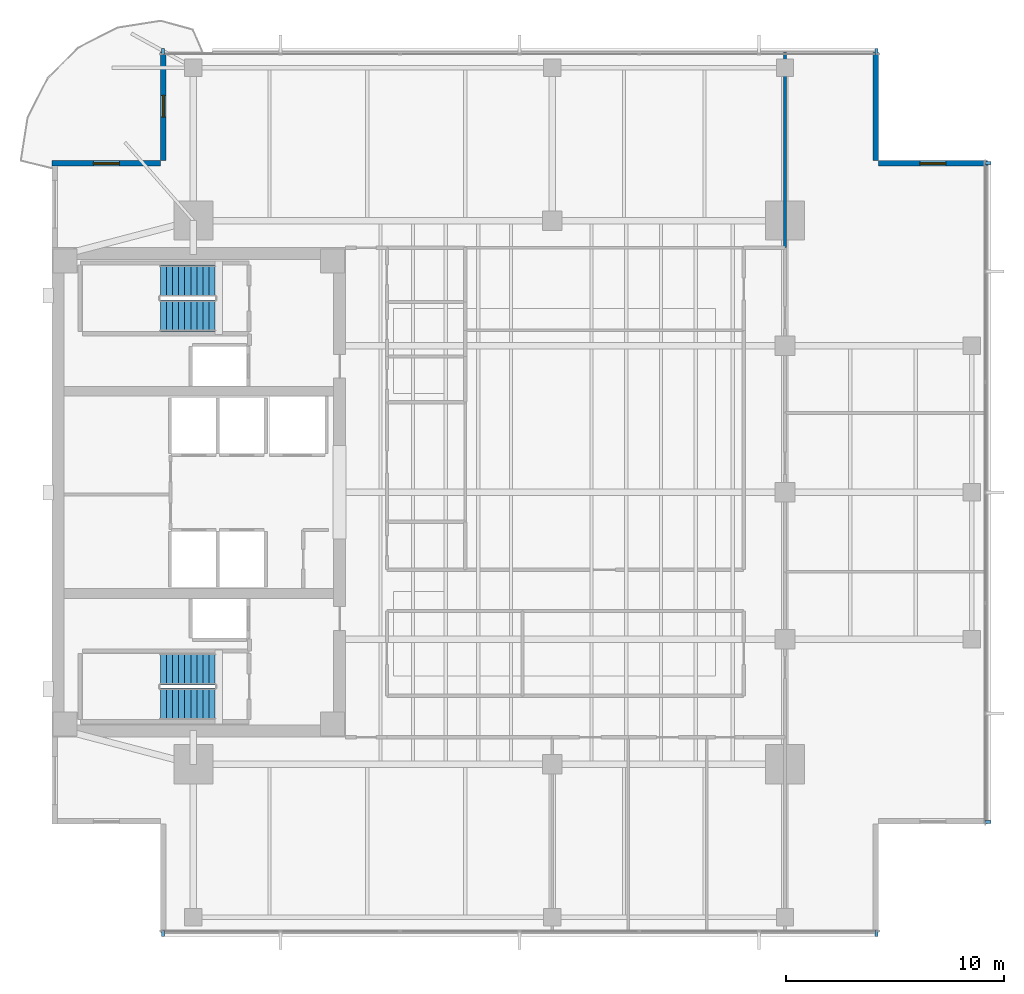
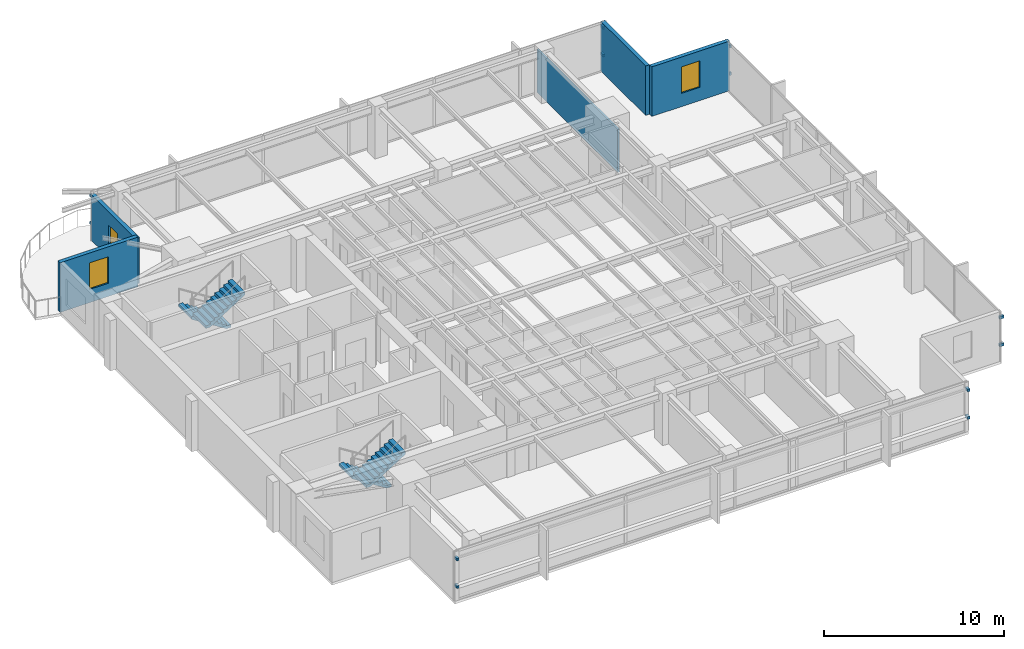
# One storey, part 10 of 14: 12 discrete accessories, 5 walls, 4 stair flights, 2 windows, 1 door, 3 openings, 2 elements without a shape of their own.
"""IFC4 building model written with IfcOpenShell, lengths in metres."""

from ifc_helpers import new_model, si_unit, direction, frame, frame_2d, origin, origin_2d, place, context, subcontext, project, spatial, polyline, rectangle, outline, extrude, material, layer, layer_set, type_object, element, fill, aggregate, save


model = new_model("IFC4")

# Units and contexts
model_context = context("Model", 3, precision=1e-05, world=origin(), true_north=direction((0.0, 1.0)))
body_context = subcontext(model_context, "Body", "Model", "MODEL_VIEW")
ifc_project = project(units=[si_unit("LENGTHUNIT", "METRE"), si_unit("AREAUNIT", "SQUARE_METRE"), si_unit("VOLUMEUNIT", "CUBIC_METRE"), si_unit("PLANEANGLEUNIT", "RADIAN"), si_unit("MASSUNIT", "GRAM", prefix="KILO")], contexts=[model_context])

# Site, building, storey
site_placement = place(None, origin())
site = spatial("IfcSite", under=ifc_project, at=site_placement, CompositionType="ELEMENT")
building_placement = place(site_placement, origin())
building = spatial("IfcBuilding", under=site, at=building_placement, Name="Kinhvarn Gate Tower", CompositionType="ELEMENT")
storey_placement = place(building_placement, frame((0.0, 0.0, 230.64990234375)))
storey = spatial("IfcBuildingStorey", under=building, at=storey_placement, Name="L61", CompositionType="ELEMENT", Elevation=230.64990234375)

# Wall, opening, window
ifc_material_1 = material(Name="Fired architectural terracotta", Category="masonry")
ifc_layer_1 = layer(ifc_material_1, 0.25)
ifc_layer_set_1 = layer_set([ifc_layer_1], Name="Fired architectural terracotta")
wall_type_1 = type_object("IfcWallType", Name="WL-EXT-250", PredefinedType="SOLIDWALL", material=ifc_layer_set_1)
wall_1_placement = place(storey_placement, frame((47.5, 40.375, 0.0), z_axis=(0.0, 0.0, 1.0), x_axis=(-1.0, 0.0, 0.0)))
wall_1 = element("IfcWall", 1, at=wall_1_placement, inside=storey, type_object=wall_type_1, Name="Exterior Solidwall Wall EW-250 (L61 NE-Notch-1)", PredefinedType="SOLIDWALL", context=body_context, shape_type="SweptSolid", body=[
    extrude(rectangle(XDim=5.0, YDim=0.25, at=frame_2d((2.5, 0.0))), origin(), (0.0, 0.0, 1.0), 3.3701171875),
])
opening_1_placement = place(wall_1_placement, frame((1.89990234375, 0.0, 0.89990234375)))
opening_1 = element("IfcOpeningElement", 2, at=opening_1_placement, cuts=wall_1, Name="Opening WN-02", PredefinedType="OPENING", context=body_context, shape_type="SweptSolid", body=[
    extrude(rectangle(XDim=1.199951171875, YDim=1.800048828125, at=frame_2d((0.60009765625, 0.89990234375))), frame((0.0, 0.135009765625, 0.0), z_axis=(0.0, -1.0, 0.0), x_axis=(1.0, 0.0, 0.0)), (0.0, 0.0, 1.0), 0.27001953125),
])
ifc_material_2 = material(Name="Clear low-e double glazing", Category="glass")
window_type = type_object("IfcWindowType", Name="WIN-NTC-1200", PartitioningType="SINGLE_PANEL", PredefinedType="WINDOW", material=ifc_material_2)
window_1_placement = place(opening_1_placement, origin())
window_1 = element("IfcWindow", 3, at=window_1_placement, inside=storey, type_object=window_type, Name="Recessed Corner Notch Punched Window 1200x1800 mm (L61)", OverallHeight=1.800048828125, OverallWidth=1.199951171875, PartitioningType="SINGLE_PANEL", PredefinedType="WINDOW", context=body_context, shape_type="SweptSolid", body=[
    extrude(rectangle(XDim=1.199951171875, YDim=1.800048828125, at=frame_2d((0.60009765625, 0.89990234375))), frame((0.0, 0.030029296875, 0.0), z_axis=(0.0, -1.0, 0.0), x_axis=(1.0, 0.0, 0.0)), (0.0, 0.0, 1.0), 0.06005859375),
])
fill(opening_1, window_1)

# Wall
wall_2_placement = place(storey_placement, frame((42.375, 40.5, 0.0), z_axis=(0.0, 0.0, 1.0), x_axis=(0.0, 1.0, 0.0)))
element("IfcWall", 4, at=wall_2_placement, inside=storey, type_object=wall_type_1, Name="Exterior Solidwall Wall EW-250 (L61 NE-Notch-2)", PredefinedType="SOLIDWALL", context=body_context, shape_type="SweptSolid", body=[
    extrude(rectangle(XDim=5.0, YDim=0.25, at=frame_2d((2.5, 0.0))), origin(), (0.0, 0.0, 1.0), 3.3701171875),
])

# Wall, opening, door
wall_3_placement = place(storey_placement, frame((9.625, 45.5, 0.0), z_axis=(0.0, 0.0, 1.0), x_axis=(0.0, -1.0, 0.0)))
wall_3 = element("IfcWall", 5, at=wall_3_placement, inside=storey, type_object=wall_type_1, Name="Exterior Solidwall Wall EW-250 (L61 NW-Notch-Door)", PredefinedType="SOLIDWALL", context=body_context, shape_type="SweptSolid", body=[
    extrude(rectangle(XDim=5.0, YDim=0.25, at=frame_2d((2.5, 0.0))), origin(), (0.0, 0.0, 1.0), 3.10009765625),
])
opening_2_placement = place(wall_3_placement, frame((2.0, 0.0, 0.0)))
opening_2 = element("IfcOpeningElement", 6, at=opening_2_placement, cuts=wall_3, Name="Opening BD-01", PredefinedType="OPENING", context=body_context, shape_type="SweptSolid", body=[
    extrude(rectangle(XDim=1.0, YDim=2.199951171875, at=frame_2d((0.5, 1.10009765625))), frame((0.0, 0.135009765625, 0.0), z_axis=(0.0, -1.0, 0.0), x_axis=(1.0, 0.0, 0.0)), (0.0, 0.0, 1.0), 0.27001953125),
])
door_type = type_object("IfcDoorType", Name="DR-BAL-1000", OperationType="NOTDEFINED", PredefinedType="DOOR", material=ifc_material_2)
door_placement = place(opening_2_placement, frame((1.0, 0.0, 0.0), z_axis=(0.0, 0.0, 1.0), x_axis=(-1.0, 0.0, 0.0)))
door = element("IfcDoor", 7, at=door_placement, inside=storey, type_object=door_type, Name="S-Carve Balcony Door BD-01 (L61)", OperationType="SINGLE_SWING_RIGHT", OverallHeight=2.199951171875, OverallWidth=1.0, PredefinedType="DOOR", context=body_context, shape_type="SweptSolid", body=[
    extrude(rectangle(XDim=1.0, YDim=2.199951171875, at=frame_2d((0.5, 1.10009765625))), frame((0.0, 0.02490234375, 0.0), z_axis=(0.0, -1.0, 0.0), x_axis=(1.0, 0.0, 0.0)), (0.0, 0.0, 1.0), 0.050048828125),
])
fill(opening_2, door)

# Wall, opening, window
wall_4_placement = place(storey_placement, frame((9.5, 40.375, 0.0), z_axis=(0.0, 0.0, 1.0), x_axis=(-1.0, 0.0, 0.0)))
wall_4 = element("IfcWall", 8, at=wall_4_placement, inside=storey, type_object=wall_type_1, Name="Exterior Solidwall Wall EW-250 (L61 NW-Notch-Win)", PredefinedType="SOLIDWALL", context=body_context, shape_type="SweptSolid", body=[
    extrude(rectangle(XDim=5.0, YDim=0.25, at=frame_2d((2.5, 0.0))), origin(), (0.0, 0.0, 1.0), 3.3701171875),
])
opening_3_placement = place(wall_4_placement, frame((1.89990234375, 0.0, 0.89990234375)))
opening_3 = element("IfcOpeningElement", 9, at=opening_3_placement, cuts=wall_4, Name="Opening WN-02", PredefinedType="OPENING", context=body_context, shape_type="SweptSolid", body=[
    extrude(rectangle(XDim=1.199951171875, YDim=1.800048828125, at=frame_2d((0.60009765625, 0.89990234375))), frame((0.0, 0.135009765625, 0.0), z_axis=(0.0, -1.0, 0.0), x_axis=(1.0, 0.0, 0.0)), (0.0, 0.0, 1.0), 0.27001953125),
])
window_2_placement = place(opening_3_placement, origin())
window_2 = element("IfcWindow", 10, at=window_2_placement, inside=storey, type_object=window_type, Name="Recessed Corner Notch Punched Window 1200x1800 mm (L61)", OverallHeight=1.800048828125, OverallWidth=1.199951171875, PartitioningType="SINGLE_PANEL", PredefinedType="WINDOW", context=body_context, shape_type="SweptSolid", body=[
    extrude(rectangle(XDim=1.199951171875, YDim=1.800048828125, at=frame_2d((0.60009765625, 0.89990234375))), frame((0.0, 0.030029296875, 0.0), z_axis=(0.0, -1.0, 0.0), x_axis=(1.0, 0.0, 0.0)), (0.0, 0.0, 1.0), 0.06005859375),
])
fill(opening_3, window_2)

# Wall
ifc_material_3 = material(Name="Gypsum acoustic partition board")
ifc_layer_2 = layer(ifc_material_3, 0.1201171875)
ifc_layer_set_2 = layer_set([ifc_layer_2], Name="Gypsum acoustic partition board")
wall_type_2 = type_object("IfcWallType", Name="WL-PRT-120", PredefinedType="PARTITIONING", material=ifc_layer_set_2)
wall_5_placement = place(storey_placement, frame((38.199951171875, 36.5, 0.0), z_axis=(0.0, 0.0, 1.0), x_axis=(0.0, 1.0, 0.0)))
element("IfcWall", 11, at=wall_5_placement, inside=storey, type_object=wall_type_2, Name="Interior Partition PW-120 (L61)", PredefinedType="PARTITIONING", context=body_context, shape_type="SweptSolid", body=[
    extrude(rectangle(XDim=8.989990234375, YDim=0.1201171875, at=frame_2d((4.4951171875, 0.0))), origin(), (0.0, 0.0, 1.0), 2.920166015625),
])

# Stair, stair flights
ifc_material_4 = material(Name="Concrete C40/50", Category="concrete")
stair_type = type_object("IfcStairType", Name="STR-DLG-177", PredefinedType="HALF_TURN_STAIR", material=ifc_material_4)
stair_1_placement = place(storey_placement, origin())
stair_1 = element("IfcStair", 12, at=stair_1_placement, inside=storey, type_object=stair_type, Name="L61 Core Smokeproof Exit Stair ST1", PredefinedType="HALF_TURN_STAIR")
stair_flight_type = type_object("IfcStairFlightType", Name="STF-DLG-177", PredefinedType="STRAIGHT", material=ifc_material_4)
stair_flight_1_placement = place(storey_placement, frame((12.0, 17.125, 0.0), z_axis=(0.0, 0.0, 1.0), x_axis=(-1.0, 0.0, 0.0)))
stair_flight_1 = element("IfcStairFlight", 13, at=stair_flight_1_placement, type_object=stair_flight_type, Name="ST1 flight 1", NumberOfRisers=10, NumberOfTreads=9, PredefinedType="STRAIGHT", RiserHeight=0.1775, TreadLength=0.28, context=body_context, shape_type="SweptSolid", body=[
    extrude(outline(polyline([(0.0, 0.0), (0.0, 0.177490234375), (0.280029296875, 0.177490234375), (0.280029296875, 0.35498046875), (0.56005859375, 0.35498046875), (0.56005859375, 0.532470703125), (0.840087890625, 0.532470703125), (0.840087890625, 0.7099609375), (1.1201171875, 0.7099609375), (1.1201171875, 0.887451171875), (1.39990234375, 0.887451171875), (1.39990234375, 1.06494140625), (1.679931640625, 1.06494140625), (1.679931640625, 1.242431640625), (1.9599609375, 1.242431640625), (1.9599609375, 1.419921875), (2.239990234375, 1.419921875), (2.239990234375, 1.597412109375), (2.52001953125, 1.597412109375), (2.52001953125, 1.77490234375), (2.52001953125, 1.419921875), (0.280029296875, 0.0), (0.0, 0.0)])), frame((0.0, 0.72509765625, 0.0), z_axis=(0.0, -1.0, 0.0), x_axis=(1.0, 0.0, 0.0)), (0.0, 0.0, 1.0), 1.449951171875),
])
stair_flight_2_placement = place(storey_placement, frame((9.47998046875, 15.52490234375, 1.775146484375), z_axis=(0.0, 0.0, 1.0), x_axis=(1.0, 0.0, 0.0)))
stair_flight_2 = element("IfcStairFlight", 14, at=stair_flight_2_placement, type_object=stair_flight_type, Name="ST1 flight 2", NumberOfRisers=10, NumberOfTreads=9, PredefinedType="STRAIGHT", RiserHeight=0.1775, TreadLength=0.28, context=body_context, shape_type="SweptSolid", body=[
    extrude(outline(polyline([(0.0, 0.0), (0.0, 0.177490234375), (0.280029296875, 0.177490234375), (0.280029296875, 0.35498046875), (0.56005859375, 0.35498046875), (0.56005859375, 0.532470703125), (0.840087890625, 0.532470703125), (0.840087890625, 0.7099609375), (1.1201171875, 0.7099609375), (1.1201171875, 0.887451171875), (1.39990234375, 0.887451171875), (1.39990234375, 1.06494140625), (1.679931640625, 1.06494140625), (1.679931640625, 1.242431640625), (1.9599609375, 1.242431640625), (1.9599609375, 1.419921875), (2.239990234375, 1.419921875), (2.239990234375, 1.597412109375), (2.52001953125, 1.597412109375), (2.52001953125, 1.77490234375), (2.52001953125, 1.419921875), (0.280029296875, 0.0), (0.0, 0.0)])), frame((0.0, 0.72509765625, 0.0), z_axis=(0.0, -1.0, 0.0), x_axis=(1.0, 0.0, 0.0)), (0.0, 0.0, 1.0), 1.449951171875),
])
aggregate(stair_1, [stair_flight_1, stair_flight_2])

stair_2_placement = place(storey_placement, origin())
stair_2 = element("IfcStair", 15, at=stair_2_placement, inside=storey, type_object=stair_type, Name="L61 Core Smokeproof Exit Stair ST2", PredefinedType="HALF_TURN_STAIR")
stair_flight_3_placement = place(storey_placement, frame((12.0, 34.97509765625, 0.0), z_axis=(0.0, 0.0, 1.0), x_axis=(-1.0, 0.0, 0.0)))
stair_flight_3 = element("IfcStairFlight", 16, at=stair_flight_3_placement, type_object=stair_flight_type, Name="ST2 flight 1", NumberOfRisers=10, NumberOfTreads=9, PredefinedType="STRAIGHT", RiserHeight=0.1775, TreadLength=0.28, context=body_context, shape_type="SweptSolid", body=[
    extrude(outline(polyline([(0.0, 0.0), (0.0, 0.177490234375), (0.280029296875, 0.177490234375), (0.280029296875, 0.35498046875), (0.56005859375, 0.35498046875), (0.56005859375, 0.532470703125), (0.840087890625, 0.532470703125), (0.840087890625, 0.7099609375), (1.1201171875, 0.7099609375), (1.1201171875, 0.887451171875), (1.39990234375, 0.887451171875), (1.39990234375, 1.06494140625), (1.679931640625, 1.06494140625), (1.679931640625, 1.242431640625), (1.9599609375, 1.242431640625), (1.9599609375, 1.419921875), (2.239990234375, 1.419921875), (2.239990234375, 1.597412109375), (2.52001953125, 1.597412109375), (2.52001953125, 1.77490234375), (2.52001953125, 1.419921875), (0.280029296875, 0.0), (0.0, 0.0)])), frame((0.0, 0.72509765625, 0.0), z_axis=(0.0, -1.0, 0.0), x_axis=(1.0, 0.0, 0.0)), (0.0, 0.0, 1.0), 1.449951171875),
])
stair_flight_4_placement = place(storey_placement, frame((9.47998046875, 33.375, 1.775146484375), z_axis=(0.0, 0.0, 1.0), x_axis=(1.0, 0.0, 0.0)))
stair_flight_4 = element("IfcStairFlight", 17, at=stair_flight_4_placement, type_object=stair_flight_type, Name="ST2 flight 2", NumberOfRisers=10, NumberOfTreads=9, PredefinedType="STRAIGHT", RiserHeight=0.1775, TreadLength=0.28, context=body_context, shape_type="SweptSolid", body=[
    extrude(outline(polyline([(0.0, 0.0), (0.0, 0.177490234375), (0.280029296875, 0.177490234375), (0.280029296875, 0.35498046875), (0.56005859375, 0.35498046875), (0.56005859375, 0.532470703125), (0.840087890625, 0.532470703125), (0.840087890625, 0.7099609375), (1.1201171875, 0.7099609375), (1.1201171875, 0.887451171875), (1.39990234375, 0.887451171875), (1.39990234375, 1.06494140625), (1.679931640625, 1.06494140625), (1.679931640625, 1.242431640625), (1.9599609375, 1.242431640625), (1.9599609375, 1.419921875), (2.239990234375, 1.419921875), (2.239990234375, 1.597412109375), (2.52001953125, 1.597412109375), (2.52001953125, 1.77490234375), (2.52001953125, 1.419921875), (0.280029296875, 0.0), (0.0, 0.0)])), frame((0.0, 0.72509765625, 0.0), z_axis=(0.0, -1.0, 0.0), x_axis=(1.0, 0.0, 0.0)), (0.0, 0.0, 1.0), 1.449951171875),
])
aggregate(stair_2, [stair_flight_3, stair_flight_4])

# Discrete accessories
ifc_material_5 = material(Name="Anodised aluminium AW-6063", Category="aluminium")
discrete_accessory_type = type_object("IfcDiscreteAccessoryType", Name="ACC-BRK-01", PredefinedType="BRACKET", material=ifc_material_5)
for number, where, z_axis, x_axis, name in (
    (18, (9.60009765625, 4.969970703125, 0.9599609375), (0.0, 0.0, 1.0), (1.0, 0.0, 0.0), "Baguette Support Bracket BK-01 (L61)"),
    (19, (9.60009765625, 4.969970703125, 2.830078125), (0.0, 0.0, 1.0), (1.0, 0.0, 0.0), "Baguette Support Bracket BK-01 (L61)"),
    (20, (42.39990234375, 4.969970703125, 0.9599609375), (0.0, 0.0, 1.0), (1.0, 0.0, 0.0), "Baguette Support Bracket BK-01 (L61)"),
    (21, (42.39990234375, 4.969970703125, 2.830078125), (0.0, 0.0, 1.0), (1.0, 0.0, 0.0), "Baguette Support Bracket BK-01 (L61)"),
    (22, (42.39990234375, 45.530029296875, 0.9599609375), (0.0, 0.0, 1.0), (-1.0, 0.0, 0.0), "Baguette Support Bracket BK-01 (L61)"),
    (23, (42.39990234375, 45.530029296875, 2.830078125), (0.0, 0.0, 1.0), (-1.0, 0.0, 0.0), "Baguette Support Bracket BK-01 (L61)"),
    (24, (9.60009765625, 45.530029296875, 0.9599609375), (0.0, 0.0, 1.0), (-1.0, 0.0, 0.0), "Baguette Support Bracket BK-01 (L61)"),
    (25, (9.60009765625, 45.530029296875, 2.830078125), (0.0, 0.0, 1.0), (-1.0, 0.0, 0.0), "Baguette Support Bracket BK-01 (L61)"),
    (26, (47.530029296875, 10.10009765625, 0.9599609375), (0.0, 0.0, 1.0), (0.0, 1.0, 0.0), "Baguette Support Bracket BK-01 (L61)"),
    (27, (47.530029296875, 10.10009765625, 2.830078125), (0.0, 0.0, 1.0), (0.0, 1.0, 0.0), "Baguette Support Bracket BK-01 (L61)"),
    (28, (47.530029296875, 40.39990234375, 0.9599609375), (0.0, 0.0, 1.0), (0.0, 1.0, 0.0), "Baguette Support Bracket BK-01 (L61)"),
    (29, (47.530029296875, 40.39990234375, 2.830078125), (0.0, 0.0, 1.0), (0.0, 1.0, 0.0), "Baguette Support Bracket BK-01 (L61)"),
):
    element("IfcDiscreteAccessory", number, at=place(storey_placement, frame(where, z_axis=z_axis, x_axis=x_axis)), inside=storey, type_object=discrete_accessory_type, Name=name, PredefinedType="BRACKET", context=body_context, shape_type="SweptSolid", body=[
        extrude(rectangle(XDim=0.139892578125, YDim=0.280029296875, at=origin_2d()), origin(), (0.0, 0.0, 1.0), 0.179931640625),
    ])

save(model, "model.ifc")
